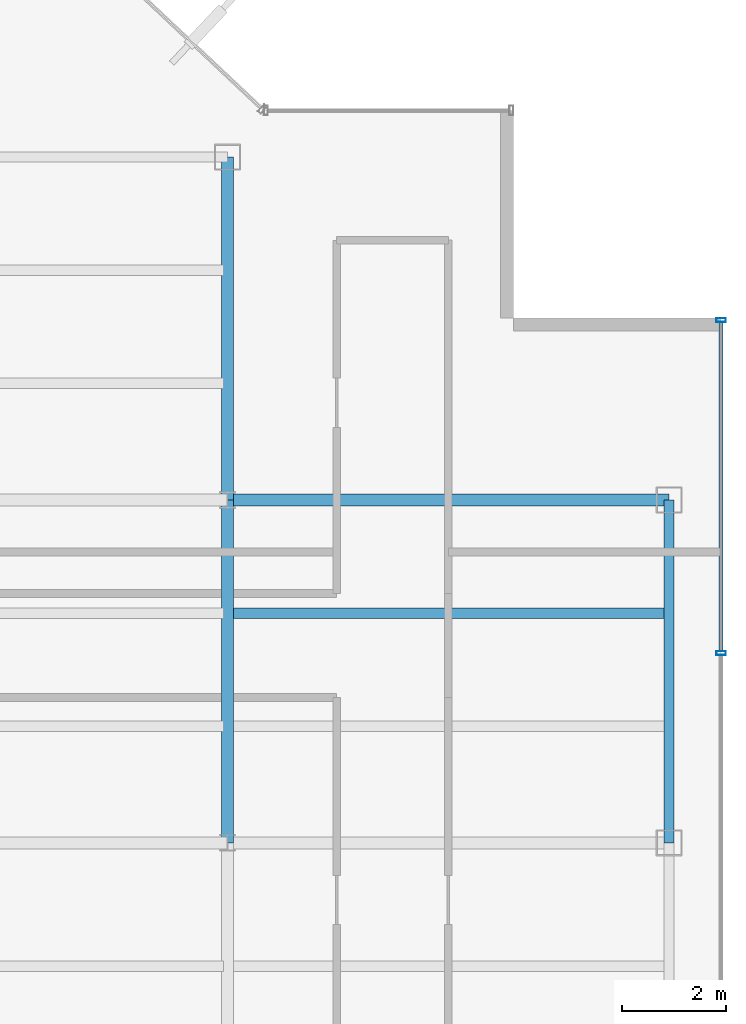
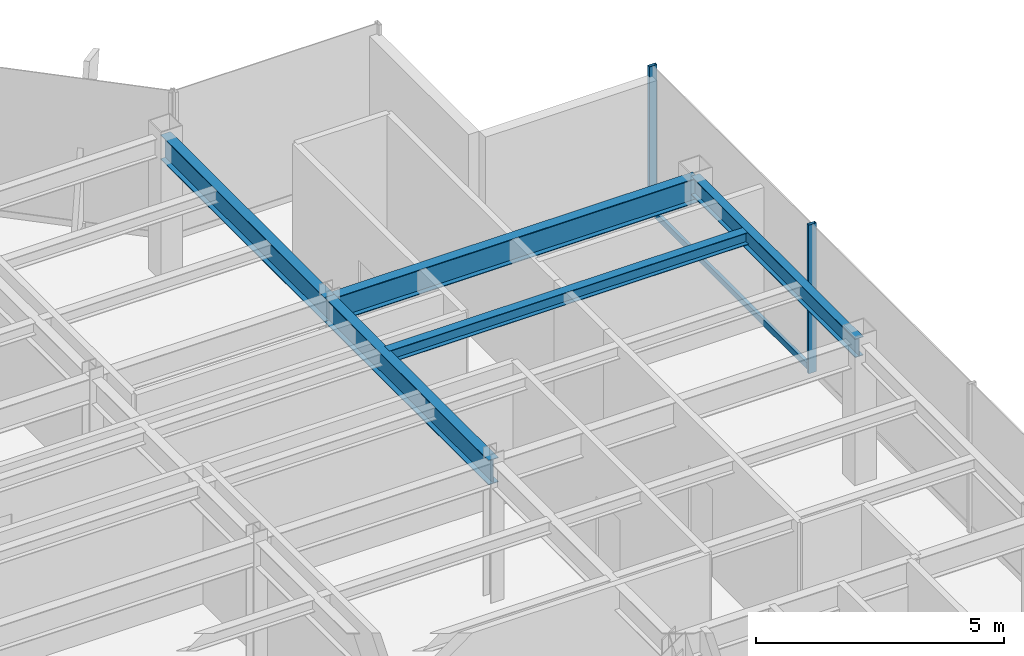
# One storey, part 11 of 22: 5 beams, 3 members, 1 element without a shape of its own.
"""IFC4 building model written with IfcOpenShell, lengths in metres."""

from ifc_helpers import new_model, si_unit, derived_unit, direction, frame, origin, origin_2d, place, context, subcontext, project, spatial, hollow_rectangle, i_section, extrude, source, transform, mapped, material, material_profile, profile_set, type_object, element, aggregate, save


model = new_model("IFC4")

# Units and contexts
model_context = context("Model", 3, precision=1e-05, world=origin(), true_north=direction((0.0, 1.0)))
body_context = subcontext(model_context, "Body", "Model", "MODEL_VIEW")
ifc_project = project(units=[si_unit("LENGTHUNIT", "METRE"), si_unit("AREAUNIT", "SQUARE_METRE"), si_unit("VOLUMEUNIT", "CUBIC_METRE"), si_unit("PLANEANGLEUNIT", "RADIAN"), si_unit("MASSUNIT", "GRAM", prefix="KILO"), derived_unit("THERMALTRANSMITTANCEUNIT", [(si_unit("POWERUNIT", "WATT"), 1), (si_unit("LENGTHUNIT", "METRE"), -2), (si_unit("THERMODYNAMICTEMPERATUREUNIT", "KELVIN"), -1)])], contexts=[model_context])

# Site, building, storey
site_placement = place(None, origin())
site = spatial("IfcSite", under=ifc_project, at=site_placement, CompositionType="ELEMENT")
building_placement = place(site_placement, origin())
building = spatial("IfcBuilding", under=site, at=building_placement, Name="Skarnbrae Concourse Arena and Tower", CompositionType="ELEMENT")
storey_placement = place(building_placement, frame((0.0, 0.0, 244.199951171875)))
storey = spatial("IfcBuildingStorey", under=building, at=storey_placement, Name="L63", CompositionType="ELEMENT", Elevation=244.199951171875)

# Beams
ifc_material_1 = material(Name="Steel CSA G40.21 350W", Category="steel")
ifc_material_profile_1 = material_profile(ifc_material_1, i_section(OverallWidth=0.22802734375, OverallDepth=0.60791015625, WebThickness=0.01123046875, FlangeThickness=0.017333984375, at=origin_2d()), Name="W610X113")
ifc_profile_set_1 = profile_set([ifc_material_profile_1], Name="Steel CSA G40.21 350W")
beam_type_1 = type_object("IfcBeamType", Name="BM-GIRD-W610X113", PredefinedType="BEAM", material=ifc_profile_set_1)
shared_shape_1 = source(origin(), body_context, "Body", "SweptSolid", [
    extrude(i_section(OverallWidth=0.22802734375, OverallDepth=0.60791015625, WebThickness=0.01123046875, FlangeThickness=0.017333984375, at=origin_2d()), origin(), (0.0, 0.0, 1.0), 6.60009765625),
])
beam_1_placement = place(storey_placement, frame((33.5, 21.199951171875, 3.095947265625), z_axis=(0.0, 1.0, 0.0), x_axis=(-1.0, 0.0, 0.0)))
element("IfcBeam", 1, at=beam_1_placement, inside=storey, type_object=beam_type_1, Name="L63 Primary N-S girder X33.5-2", PredefinedType="BEAM", context=body_context, shape_type="MappedRepresentation", body=[
    mapped(shared_shape_1, transform((0.0, 0.0, 0.0))),
])
shared_shape_2 = source(origin(), body_context, "Body", "SweptSolid", [
    extrude(i_section(OverallWidth=0.22802734375, OverallDepth=0.60791015625, WebThickness=0.01123046875, FlangeThickness=0.017333984375, at=origin_2d()), origin(), (0.0, 0.0, 1.0), 8.5),
])
beam_2_placement = place(storey_placement, frame((33.5, 27.800048828125, 3.095947265625), z_axis=(1.0, 0.0, 0.0), x_axis=(0.0, 1.0, 0.0)))
element("IfcBeam", 2, at=beam_2_placement, inside=storey, type_object=beam_type_1, Name="L63 Primary E-W girder Y27.8-6", PredefinedType="BEAM", context=body_context, shape_type="MappedRepresentation", body=[
    mapped(shared_shape_2, transform((0.0, 0.0, 0.0))),
])
ifc_material_profile_2 = material_profile(ifc_material_1, i_section(OverallWidth=0.19091796875, OverallDepth=0.4599609375, WebThickness=0.010009765625, FlangeThickness=0.01611328125, at=origin_2d()), Name="W460X82")
ifc_profile_set_2 = profile_set([ifc_material_profile_2], Name="Steel CSA G40.21 350W")
beam_type_2 = type_object("IfcBeamType", Name="BM-SPAN-W460X82", PredefinedType="SPANDREL", material=ifc_profile_set_2)
shared_shape_3 = source(origin(), body_context, "Body", "SweptSolid", [
    extrude(i_section(OverallWidth=0.19091796875, OverallDepth=0.4599609375, WebThickness=0.010009765625, FlangeThickness=0.01611328125, at=origin_2d()), origin(), (0.0, 0.0, 1.0), 6.60009765625),
])
beam_3_placement = place(storey_placement, frame((42.0, 21.199951171875, 3.170166015625), z_axis=(0.0, 1.0, 0.0), x_axis=(-1.0, 0.0, 0.0)))
element("IfcBeam", 3, at=beam_3_placement, inside=storey, type_object=beam_type_2, Name="L63 Perimeter spandrel X42.0-3", PredefinedType="SPANDREL", context=body_context, shape_type="MappedRepresentation", body=[
    mapped(shared_shape_3, transform((0.0, 0.0, 0.0))),
])
shared_shape_4 = source(origin(), body_context, "Body", "SweptSolid", [
    extrude(i_section(OverallWidth=0.22802734375, OverallDepth=0.60791015625, WebThickness=0.01123046875, FlangeThickness=0.017333984375, at=origin_2d()), origin(), (0.0, 0.0, 1.0), 6.599853515625),
])
beam_4_placement = place(storey_placement, frame((33.5, 27.800048828125, 3.095947265625), z_axis=(0.0, 1.0, 0.0), x_axis=(-1.0, 0.0, 0.0)))
element("IfcBeam", 4, at=beam_4_placement, inside=storey, type_object=beam_type_1, Name="L63 Primary N-S girder X33.5-3", PredefinedType="BEAM", context=body_context, shape_type="MappedRepresentation", body=[
    mapped(shared_shape_4, transform((0.0, 0.0, 0.0))),
])
ifc_material_profile_3 = material_profile(ifc_material_1, i_section(OverallWidth=0.202880859375, OverallDepth=0.302978515625, WebThickness=0.007568359375, FlangeThickness=0.01318359375, at=origin_2d()), Name="W310X60")
ifc_profile_set_3 = profile_set([ifc_material_profile_3], Name="Steel CSA G40.21 350W")
beam_type_3 = type_object("IfcBeamType", Name="BM-JOIST-W310X60", PredefinedType="JOIST", material=ifc_profile_set_3)
shared_shape_5 = source(origin(), body_context, "Body", "SweptSolid", [
    extrude(i_section(OverallWidth=0.202880859375, OverallDepth=0.302978515625, WebThickness=0.007568359375, FlangeThickness=0.01318359375, at=origin_2d()), origin(), (0.0, 0.0, 1.0), 8.33984375),
])
beam_5_placement = place(storey_placement, frame((33.580078125, 25.6220703125, 3.24853515625), z_axis=(1.0, 0.0, 0.0), x_axis=(0.0, 1.0, 0.0)))
element("IfcBeam", 5, at=beam_5_placement, inside=storey, type_object=beam_type_3, Name="L63 Secondary floor joist 2.2.6", PredefinedType="JOIST", context=body_context, shape_type="MappedRepresentation", body=[
    mapped(shared_shape_5, transform((0.0, 0.0, 0.0))),
])

# Curtain wall, members
ifc_material_2 = material(Name="Bronze anodised aluminium 6063-T6", Category="aluminium")
curtain_wall_type = type_object("IfcCurtainWallType", Name="CW-SYS-05-HIGHZONE", PredefinedType="USERDEFINED", material=ifc_material_2)
curtain_wall_placement = place(storey_placement, origin())
curtain_wall = element("IfcCurtainWall", 6, at=curtain_wall_placement, inside=storey, type_object=curtain_wall_type, Name="L63 Unitised curtain wall CW-L63-E04", ObjectType="UNITISED CURTAIN WALL", PredefinedType="USERDEFINED")
ifc_material_profile_4 = material_profile(ifc_material_2, hollow_rectangle(XDim=0.074951171875, YDim=0.14990234375, WallThickness=0.00390625, at=origin_2d()), Name="ALU-TRAN-75X150")
ifc_profile_set_4 = profile_set([ifc_material_profile_4], Name="Bronze anodised aluminium 6063-T6")
member_type_1 = type_object("IfcMemberType", Name="CWT-CW-05", PredefinedType="USERDEFINED", material=ifc_profile_set_4)
shared_shape_6 = source(origin(), body_context, "Body", "SweptSolid", [
    extrude(hollow_rectangle(XDim=0.074951171875, YDim=0.14990234375, WallThickness=0.00390625, at=origin_2d()), origin(), (0.0, 0.0, 1.0), 6.337646484375),
])
member_1_placement = place(storey_placement, frame((43.0, 24.887451171875, 0.074951171875), z_axis=(0.0, 1.0, 0.0), x_axis=(-1.0, 0.0, 0.0)))
member_1 = element("IfcMember", 7, at=member_1_placement, type_object=member_type_1, Name="CW-L63-E04 Transom 4", ObjectType="TRANSOM", PredefinedType="USERDEFINED", context=body_context, shape_type="MappedRepresentation", body=[
    mapped(shared_shape_6, transform((0.0, 0.0, 0.0))),
])
ifc_material_profile_5 = material_profile(ifc_material_2, hollow_rectangle(XDim=0.074951171875, YDim=0.179931640625, WallThickness=0.00390625, at=origin_2d()), Name="ALU-MULL-75X180")
ifc_profile_set_5 = profile_set([ifc_material_profile_5], Name="Bronze anodised aluminium 6063-T6")
member_type_2 = type_object("IfcMemberType", Name="CWM-CW-05", PredefinedType="MULLION", material=ifc_profile_set_5)
shared_shape_7 = source(origin(), body_context, "Body", "SweptSolid", [
    extrude(hollow_rectangle(XDim=0.074951171875, YDim=0.179931640625, WallThickness=0.00390625, at=origin_2d()), origin(), (0.0, 0.0, 1.0), 3.650146484375),
])
member_2_placement = place(storey_placement, frame((43.0, 24.85009765625, 0.0), z_axis=(0.0, 0.0, 1.0), x_axis=(0.0, 1.0, 0.0)))
member_2 = element("IfcMember", 8, at=member_2_placement, type_object=member_type_2, Name="CW-L63-E04 Mullion 4", PredefinedType="MULLION", context=body_context, shape_type="MappedRepresentation", body=[
    mapped(shared_shape_7, transform((0.0, 0.0, 0.0))),
])
member_3_placement = place(storey_placement, frame((43.0, 31.262451171875, 0.0), z_axis=(0.0, 0.0, 1.0), x_axis=(0.0, 1.0, 0.0)))
member_3 = element("IfcMember", 9, at=member_3_placement, type_object=member_type_2, Name="CW-L63-E04 Mullion 5", PredefinedType="MULLION", context=body_context, shape_type="MappedRepresentation", body=[
    mapped(shared_shape_7, transform((0.0, 0.0, 0.0))),
])
aggregate(curtain_wall, [member_2, member_3, member_1])

save(model, "model.ifc")
